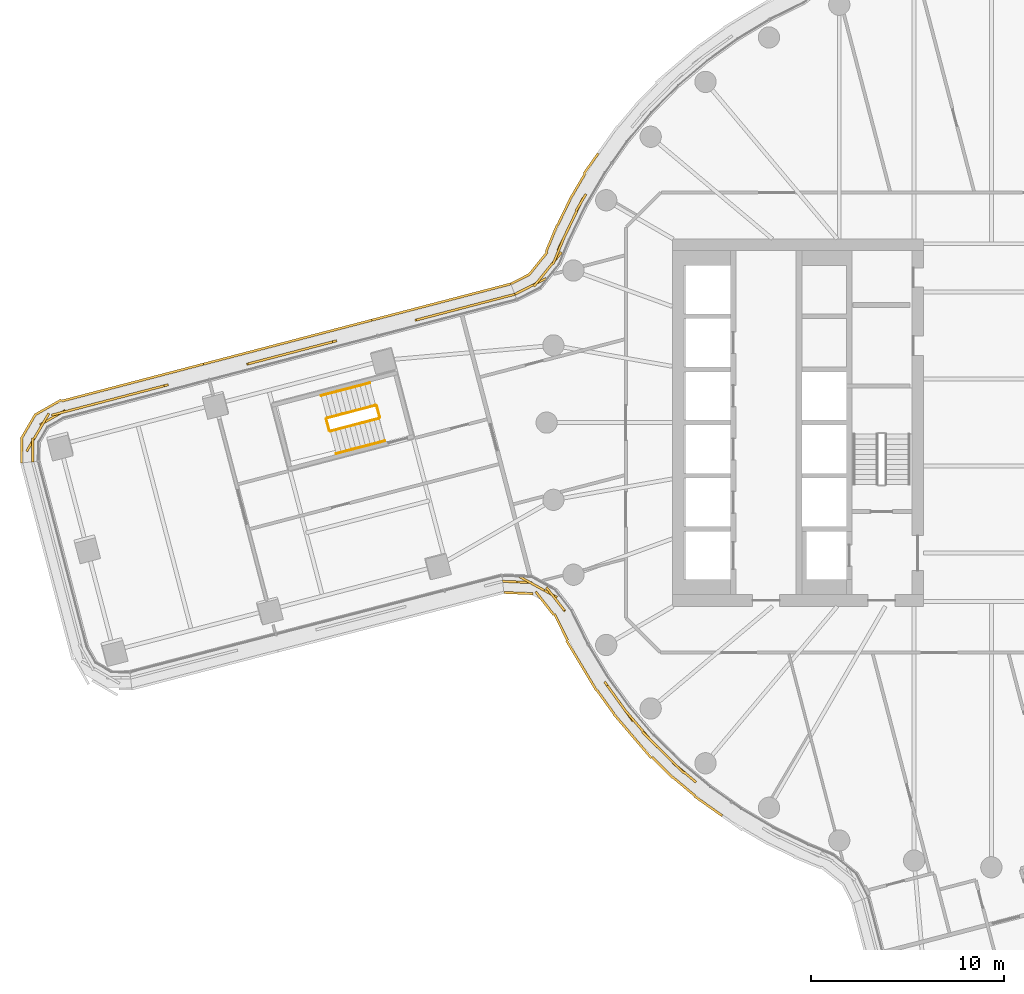
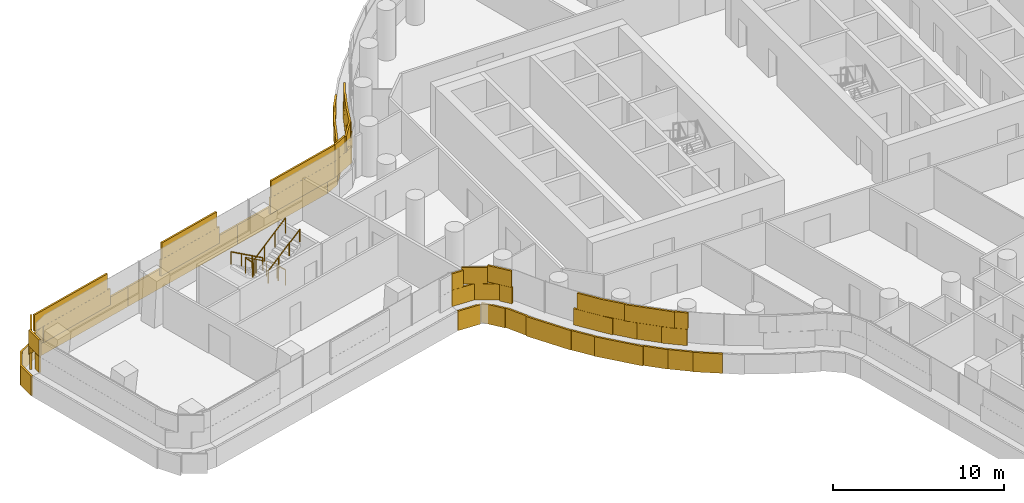
# One storey, part 26 of 30: 6 railings, 5 coverings.
"""IFC4 building model written with IfcOpenShell, lengths in metres."""

from ifc_helpers import new_model, si_unit, direction, frame, origin, origin_2d, place, context, subcontext, project, spatial, rectangle, circle, extrude, material, layer, layer_set, type_object, element, save


model = new_model("IFC4")

# Units and contexts
model_context = context("Model", 3, precision=1e-05, world=origin(), true_north=direction((0.0, 1.0)))
body_context = subcontext(model_context, "Body", "Model", "MODEL_VIEW")
ifc_project = project(units=[si_unit("LENGTHUNIT", "METRE"), si_unit("AREAUNIT", "SQUARE_METRE"), si_unit("VOLUMEUNIT", "CUBIC_METRE"), si_unit("PLANEANGLEUNIT", "RADIAN"), si_unit("MASSUNIT", "GRAM", prefix="KILO")], contexts=[model_context])

# Site, building, storey
site_placement = place(None, origin())
site = spatial("IfcSite", under=ifc_project, at=site_placement, CompositionType="ELEMENT")
building_placement = place(site_placement, origin())
building = spatial("IfcBuilding", under=site, at=building_placement, Name="Tamarind Cross Interchange Tower", CompositionType="ELEMENT")
storey_placement = place(building_placement, frame((0.0, 0.0, 87.25)))
storey = spatial("IfcBuildingStorey", under=building, at=storey_placement, Name="L20", CompositionType="ELEMENT", Elevation=87.25)

# Railings
ifc_material_1 = material(Name="Stair guard")
railing_type_1 = type_object("IfcRailingType", Name="Stair guard", PredefinedType="GUARDRAIL", material=ifc_material_1)
railing_1_placement = place(storey_placement, frame((-31.844482421875, 0.892822265625, 0.17041015625)))
element("IfcRailing", 1, at=railing_1_placement, inside=storey, type_object=railing_type_1, Name="L20 ST5 stair guard 1", PredefinedType="GUARDRAIL", context=body_context, shape_type="SweptSolid", body=[
    extrude(circle(Radius=0.02392578125, at=origin_2d()), frame((0.0, 0.0, 1.076171875), z_axis=(-0.80920762433, -0.211155681885, 0.54826663106), x_axis=(0.252486876071, -0.967600319043, 0.0)), (0.0, 0.0, 1.0), 3.109130859375),
    extrude(circle(Radius=0.02099609375, at=origin_2d()), origin(), (0.0, 0.0, 1.0), 1.052001953125),
    extrude(circle(Radius=0.02099609375, at=origin_2d()), frame((-0.838623046875, -0.21875, 0.568115234375)), (0.0, 0.0, 1.0), 1.052001953125),
    extrude(circle(Radius=0.02099609375, at=origin_2d()), frame((-1.67724609375, -0.437744140625, 1.136474609375)), (0.0, 0.0, 1.0), 1.052001953125),
    extrude(circle(Radius=0.02099609375, at=origin_2d()), frame((-2.515869140625, -0.656494140625, 1.70458984375)), (0.0, 0.0, 1.0), 1.052001953125),
])
railing_2_placement = place(storey_placement, frame((-34.39599609375, 0.17529296875, 1.875)))
element("IfcRailing", 2, at=railing_2_placement, inside=storey, type_object=railing_type_1, Name="L20 ST5 stair guard 2", PredefinedType="GUARDRAIL", context=body_context, shape_type="SweptSolid", body=[
    extrude(circle(Radius=0.02392578125, at=origin_2d()), frame((0.0, 0.0, 1.076171875), z_axis=(0.252289376238, -0.967651833377, 0.0), x_axis=(0.967651833377, 0.252289376238, 0.0)), (0.0, 0.0, 1.0), 0.599853515625),
    extrude(circle(Radius=0.02099609375, at=origin_2d()), origin(), (0.0, 0.0, 1.0), 1.052001953125),
    extrude(circle(Radius=0.02099609375, at=origin_2d()), frame((0.1513671875, -0.58056640625, 0.0)), (0.0, 0.0, 1.0), 1.052001953125),
])
railing_3_placement = place(storey_placement, frame((-34.18359375, -0.44091796875, 2.04541015625)))
element("IfcRailing", 3, at=railing_3_placement, inside=storey, type_object=railing_type_1, Name="L20 ST5 stair guard 3", PredefinedType="GUARDRAIL", context=body_context, shape_type="SweptSolid", body=[
    extrude(circle(Radius=0.02392578125, at=origin_2d()), frame((0.0, 0.0, 1.076171875), z_axis=(0.80920762433, 0.211155681885, 0.54826663106), x_axis=(-0.252486876071, 0.967600319043, 0.0)), (0.0, 0.0, 1.0), 3.109130859375),
    extrude(circle(Radius=0.02099609375, at=origin_2d()), origin(), (0.0, 0.0, 1.0), 1.052001953125),
    extrude(circle(Radius=0.02099609375, at=origin_2d()), frame((0.838623046875, 0.21875, 0.568115234375)), (0.0, 0.0, 1.0), 1.052001953125),
    extrude(circle(Radius=0.02099609375, at=origin_2d()), frame((1.67724609375, 0.437744140625, 1.136474609375)), (0.0, 0.0, 1.0), 1.052001953125),
    extrude(circle(Radius=0.02099609375, at=origin_2d()), frame((2.515869140625, 0.656494140625, 1.70458984375)), (0.0, 0.0, 1.0), 1.052001953125),
])
railing_4_placement = place(storey_placement, frame((-31.783447265625, 0.857177734375, 0.0)))
element("IfcRailing", 4, at=railing_4_placement, inside=storey, type_object=railing_type_1, Name="L20 ST5 stair guard 4", PredefinedType="GUARDRAIL", context=body_context, shape_type="SweptSolid", body=[
    extrude(circle(Radius=0.02392578125, at=origin_2d()), frame((0.0, 0.0, 1.076171875), z_axis=(0.252289376238, -0.967651833377, 0.0), x_axis=(0.967651833377, 0.252289376238, 0.0)), (0.0, 0.0, 1.0), 0.599853515625),
    extrude(circle(Radius=0.02099609375, at=origin_2d()), origin(), (0.0, 0.0, 1.0), 1.052001953125),
    extrude(circle(Radius=0.02099609375, at=origin_2d()), frame((0.1513671875, -0.58056640625, 0.0)), (0.0, 0.0, 1.0), 1.052001953125),
])
ifc_material_2 = material(Name="Stair handrail")
railing_type_2 = type_object("IfcRailingType", Name="Stair handrail", PredefinedType="HANDRAIL", material=ifc_material_2)
railing_5_placement = place(storey_placement, frame((-32.147705078125, 2.053955078125, 0.17041015625)))
element("IfcRailing", 5, at=railing_5_placement, inside=storey, type_object=railing_type_2, Name="L20 ST5 stair handrail 1", PredefinedType="HANDRAIL", context=body_context, shape_type="SweptSolid", body=[
    extrude(circle(Radius=0.02392578125, at=origin_2d()), frame((0.0, 0.0, 0.8759765625), z_axis=(-0.809180515998, -0.211169100109, 0.548301471535), x_axis=(0.252509817524, -0.96759433238, 0.0)), (0.0, 0.0, 1.0), 3.10888671875),
    extrude(circle(Radius=0.02099609375, at=origin_2d()), origin(), (0.0, 0.0, 1.0), 0.851806640625),
    extrude(circle(Radius=0.02099609375, at=origin_2d()), frame((-0.838623046875, -0.21875, 0.568115234375)), (0.0, 0.0, 1.0), 0.851806640625),
    extrude(circle(Radius=0.02099609375, at=origin_2d()), frame((-1.677001953125, -0.437744140625, 1.136474609375)), (0.0, 0.0, 1.0), 0.851806640625),
    extrude(circle(Radius=0.02099609375, at=origin_2d()), frame((-2.515625, -0.656494140625, 1.70458984375)), (0.0, 0.0, 1.0), 0.851806640625),
])
railing_6_placement = place(storey_placement, frame((-33.88037109375, -1.60205078125, 2.04541015625)))
element("IfcRailing", 6, at=railing_6_placement, inside=storey, type_object=railing_type_2, Name="L20 ST5 stair handrail 2", PredefinedType="HANDRAIL", context=body_context, shape_type="SweptSolid", body=[
    extrude(circle(Radius=0.02392578125, at=origin_2d()), frame((0.0, 0.0, 0.8759765625), z_axis=(0.809180515998, 0.211169100109, 0.548301471535), x_axis=(-0.252509817524, 0.96759433238, 0.0)), (0.0, 0.0, 1.0), 3.10888671875),
    extrude(circle(Radius=0.02099609375, at=origin_2d()), origin(), (0.0, 0.0, 1.0), 0.851806640625),
    extrude(circle(Radius=0.02099609375, at=origin_2d()), frame((0.838623046875, 0.21875, 0.568115234375)), (0.0, 0.0, 1.0), 0.851806640625),
    extrude(circle(Radius=0.02099609375, at=origin_2d()), frame((1.677001953125, 0.437744140625, 1.136474609375)), (0.0, 0.0, 1.0), 0.851806640625),
    extrude(circle(Radius=0.02099609375, at=origin_2d()), frame((2.515625, 0.656494140625, 1.70458984375)), (0.0, 0.0, 1.0), 0.851806640625),
])

# Coverings
ifc_material_3 = material(Name="Terracotta", Category="masonry")
ifc_layer = layer(ifc_material_3, 0.1201171875)
ifc_layer_set = layer_set([ifc_layer], Name="Terracotta")
covering_type = type_object("IfcCoveringType", Name="Terracotta baguette screen unit", PredefinedType="MOLDING", material=ifc_layer_set)
covering_1_placement = place(storey_placement, origin())
element("IfcCovering", 7, at=covering_1_placement, inside=storey, type_object=covering_type, Name="SCR-L20-02-01", PredefinedType="MOLDING", context=body_context, shape_type="SweptSolid", body=[
    extrude(rectangle(XDim=1.52001953125, YDim=0.1201171875, at=origin_2d()), frame((-21.444580078125, 10.933349609375, 1.404052734375), z_axis=(0.0, 0.0, 1.0), x_axis=(-0.435326231914, -0.900272776334, 0.0)), (0.0, 0.0, 1.0), 1.1669921875),
    extrude(rectangle(XDim=1.52001953125, YDim=0.1201171875, at=origin_2d()), frame((-22.097412109375, 9.5830078125, 1.404052734375), z_axis=(0.0, 0.0, 1.0), x_axis=(-0.435326231914, -0.900272776334, 0.0)), (0.0, 0.0, 1.0), 1.1669921875),
    extrude(rectangle(XDim=1.52001953125, YDim=0.1201171875, at=origin_2d()), frame((-22.710205078125, 8.22021484375, 1.404052734375), z_axis=(0.0, 0.0, 1.0), x_axis=(-0.628636689106, -0.777699114767, 0.0)), (0.0, 0.0, 1.0), 1.1669921875),
    extrude(rectangle(XDim=1.52001953125, YDim=0.1201171875, at=origin_2d()), frame((-23.703369140625, 7.115966796875, 1.404052734375), z_axis=(0.0, 0.0, 1.0), x_axis=(-0.891745921286, -0.45253642049, 0.0)), (0.0, 0.0, 1.0), 1.1669921875),
    extrude(rectangle(XDim=0.31982421875, YDim=0.1201171875, at=origin_2d()), frame((-24.510498046875, 6.706298828125, 1.404052734375), z_axis=(0.0, 0.0, 1.0), x_axis=(-0.891745921286, -0.45253642049, 0.0)), (0.0, 0.0, 1.0), 1.1669921875),
    extrude(rectangle(XDim=1.0126953125, YDim=0.1201171875, at=origin_2d()), frame((-21.225341796875, 11.38427734375, 2.5791015625), z_axis=(0.0, 0.0, 1.0), x_axis=(-0.508183308752, -0.861248933065, 0.0)), (0.0, 0.0, 1.0), 1.1669921875),
    extrude(rectangle(XDim=1.52001953125, YDim=0.1201171875, at=origin_2d()), frame((-21.77099609375, 10.25830078125, 2.5791015625), z_axis=(0.0, 0.0, 1.0), x_axis=(-0.435326231914, -0.900272776334, 0.0)), (0.0, 0.0, 1.0), 1.1669921875),
    extrude(rectangle(XDim=1.52001953125, YDim=0.1201171875, at=origin_2d()), frame((-22.384521484375, 8.89013671875, 2.5791015625), z_axis=(0.0, 0.0, 1.0), x_axis=(-0.382467192657, -0.923969072286, 0.0)), (0.0, 0.0, 1.0), 1.1669921875),
    extrude(rectangle(XDim=1.52001953125, YDim=0.1201171875, at=origin_2d()), frame((-23.181640625, 7.636962890625, 2.5791015625), z_axis=(0.0, 0.0, 1.0), x_axis=(-0.628636689106, -0.777699114767, 0.0)), (0.0, 0.0, 1.0), 1.1669921875),
    extrude(rectangle(XDim=1.06982421875, YDim=0.1201171875, at=origin_2d()), frame((-24.176025390625, 6.8759765625, 2.5791015625), z_axis=(0.0, 0.0, 1.0), x_axis=(-0.891745921286, -0.45253642049, 0.0)), (0.0, 0.0, 1.0), 1.1669921875),
    extrude(rectangle(XDim=1.276611328125, YDim=0.1201171875, at=origin_2d()), frame((-20.702392578125, 13.399658203125, 0.00390625), z_axis=(0.0, 0.0, 1.0), x_axis=(-0.577568978284, -0.816341886298, 0.0)), (0.0, 0.0, 1.0), 1.39208984375),
    extrude(rectangle(XDim=1.52001953125, YDim=0.1201171875, at=origin_2d()), frame((-21.40283203125, 12.212646484375, 0.00390625), z_axis=(0.0, 0.0, 1.0), x_axis=(-0.508183308752, -0.861248933065, 0.0)), (0.0, 0.0, 1.0), 1.39208984375),
    extrude(rectangle(XDim=1.52001953125, YDim=0.1201171875, at=origin_2d()), frame((-22.10400390625, 10.887939453125, 0.00390625), z_axis=(0.0, 0.0, 1.0), x_axis=(-0.435326231914, -0.900272776334, 0.0)), (0.0, 0.0, 1.0), 1.39208984375),
    extrude(rectangle(XDim=1.52001953125, YDim=0.1201171875, at=origin_2d()), frame((-22.74072265625, 9.5302734375, 0.00390625), z_axis=(0.0, 0.0, 1.0), x_axis=(-0.382467192657, -0.923969072286, 0.0)), (0.0, 0.0, 1.0), 1.39208984375),
    extrude(rectangle(XDim=1.52001953125, YDim=0.1201171875, at=origin_2d()), frame((-23.4462890625, 8.22265625, 0.00390625), z_axis=(0.0, 0.0, 1.0), x_axis=(-0.628636689106, -0.777699114767, 0.0)), (0.0, 0.0, 1.0), 1.39208984375),
    extrude(rectangle(XDim=1.052001953125, YDim=0.1201171875, at=origin_2d()), frame((-24.38427734375, 7.4140625, 0.00390625), z_axis=(0.0, 0.0, 1.0), x_axis=(-0.891745921286, -0.45253642049, 0.0)), (0.0, 0.0, 1.0), 1.39208984375),
])
covering_2_placement = place(storey_placement, origin())
element("IfcCovering", 8, at=covering_2_placement, inside=storey, type_object=covering_type, Name="SCR-L20-03-00", PredefinedType="MOLDING", context=body_context, shape_type="SweptSolid", body=[
    extrude(rectangle(XDim=1.510009765625, YDim=0.1201171875, at=origin_2d()), frame((-25.374267578125, 6.44677734375, 1.404052734375), z_axis=(0.0, 0.0, 1.0), x_axis=(-0.967589396666, -0.252528729967, 0.0)), (0.0, 0.0, 1.0), 1.1669921875),
    extrude(rectangle(XDim=1.52001953125, YDim=0.1201171875, at=origin_2d()), frame((-26.82568359375, 6.068115234375, 1.404052734375), z_axis=(0.0, 0.0, 1.0), x_axis=(-0.967589396666, -0.252528729967, 0.0)), (0.0, 0.0, 1.0), 1.1669921875),
    extrude(rectangle(XDim=1.52001953125, YDim=0.1201171875, at=origin_2d()), frame((-28.277099609375, 5.689208984375, 1.404052734375), z_axis=(0.0, 0.0, 1.0), x_axis=(-0.967589396666, -0.252528729967, 0.0)), (0.0, 0.0, 1.0), 1.1669921875),
    extrude(rectangle(XDim=0.833251953125, YDim=0.1201171875, at=origin_2d()), frame((-29.401123046875, 5.395751953125, 1.404052734375), z_axis=(0.0, 0.0, 1.0), x_axis=(-0.967589396666, -0.252528729967, 0.0)), (0.0, 0.0, 1.0), 1.1669921875),
    extrude(rectangle(XDim=0.760009765625, YDim=0.1201171875, at=origin_2d()), frame((-25.011474609375, 6.54150390625, 2.5791015625), z_axis=(0.0, 0.0, 1.0), x_axis=(-0.967589396666, -0.252528729967, 0.0)), (0.0, 0.0, 1.0), 1.1669921875),
    extrude(rectangle(XDim=1.52001953125, YDim=0.1201171875, at=origin_2d()), frame((-26.10009765625, 6.25732421875, 2.5791015625), z_axis=(0.0, 0.0, 1.0), x_axis=(-0.967589396666, -0.252528729967, 0.0)), (0.0, 0.0, 1.0), 1.1669921875),
    extrude(rectangle(XDim=1.52001953125, YDim=0.1201171875, at=origin_2d()), frame((-27.551513671875, 5.878662109375, 2.5791015625), z_axis=(0.0, 0.0, 1.0), x_axis=(-0.967589396666, -0.252528729967, 0.0)), (0.0, 0.0, 1.0), 1.1669921875),
    extrude(rectangle(XDim=1.52001953125, YDim=0.1201171875, at=origin_2d()), frame((-29.0029296875, 5.499755859375, 2.5791015625), z_axis=(0.0, 0.0, 1.0), x_axis=(-0.967589396666, -0.252528729967, 0.0)), (0.0, 0.0, 1.0), 1.1669921875),
    extrude(rectangle(XDim=1.510009765625, YDim=0.1201171875, at=origin_2d()), frame((-25.583984375, 6.9853515625, 0.00390625), z_axis=(0.0, 0.0, 1.0), x_axis=(-0.967589396666, -0.252528729967, 0.0)), (0.0, 0.0, 1.0), 1.39208984375),
    extrude(rectangle(XDim=1.52001953125, YDim=0.1201171875, at=origin_2d()), frame((-27.030517578125, 6.60791015625, 0.00390625), z_axis=(0.0, 0.0, 1.0), x_axis=(-0.967589396666, -0.252528729967, 0.0)), (0.0, 0.0, 1.0), 1.39208984375),
    extrude(rectangle(XDim=1.52001953125, YDim=0.1201171875, at=origin_2d()), frame((-28.48193359375, 6.22900390625, 0.00390625), z_axis=(0.0, 0.0, 1.0), x_axis=(-0.967589396666, -0.252528729967, 0.0)), (0.0, 0.0, 1.0), 1.39208984375),
    extrude(rectangle(XDim=1.52001953125, YDim=0.1201171875, at=origin_2d()), frame((-29.933349609375, 5.850341796875, 0.00390625), z_axis=(0.0, 0.0, 1.0), x_axis=(-0.967589396666, -0.252528729967, 0.0)), (0.0, 0.0, 1.0), 1.39208984375),
    extrude(rectangle(XDim=1.4375, YDim=0.1201171875, at=origin_2d()), frame((-31.3447265625, 5.48193359375, 0.00390625), z_axis=(0.0, 0.0, 1.0), x_axis=(-0.967589396666, -0.252528729967, 0.0)), (0.0, 0.0, 1.0), 1.39208984375),
])
covering_3_placement = place(storey_placement, origin())
element("IfcCovering", 9, at=covering_3_placement, inside=storey, type_object=covering_type, Name="SCR-L20-03-01", PredefinedType="MOLDING", context=body_context, shape_type="SweptSolid", body=[
    extrude(rectangle(XDim=0.986572265625, YDim=0.1201171875, at=origin_2d()), frame((-34.3359375, 4.10791015625, 1.404052734375), z_axis=(0.0, 0.0, 1.0), x_axis=(-0.967589396666, -0.252528729967, 0.0)), (0.0, 0.0, 1.0), 1.1669921875),
    extrude(rectangle(XDim=1.52001953125, YDim=0.1201171875, at=origin_2d()), frame((-35.5341796875, 3.795166015625, 1.404052734375), z_axis=(0.0, 0.0, 1.0), x_axis=(-0.967589396666, -0.252528729967, 0.0)), (0.0, 0.0, 1.0), 1.1669921875),
    extrude(rectangle(XDim=1.52001953125, YDim=0.1201171875, at=origin_2d()), frame((-36.9853515625, 3.41650390625, 1.404052734375), z_axis=(0.0, 0.0, 1.0), x_axis=(-0.967589396666, -0.252528729967, 0.0)), (0.0, 0.0, 1.0), 1.1669921875),
    extrude(rectangle(XDim=0.834228515625, YDim=0.1201171875, at=origin_2d()), frame((-38.10986328125, 3.123046875, 1.404052734375), z_axis=(0.0, 0.0, 1.0), x_axis=(-0.967589396666, -0.252528729967, 0.0)), (0.0, 0.0, 1.0), 1.1669921875),
    extrude(rectangle(XDim=1.52001953125, YDim=0.1201171875, at=origin_2d()), frame((-34.808349609375, 3.984619140625, 2.5791015625), z_axis=(0.0, 0.0, 1.0), x_axis=(-0.967589396666, -0.252528729967, 0.0)), (0.0, 0.0, 1.0), 1.1669921875),
    extrude(rectangle(XDim=1.52001953125, YDim=0.1201171875, at=origin_2d()), frame((-36.259765625, 3.60595703125, 2.5791015625), z_axis=(0.0, 0.0, 1.0), x_axis=(-0.967589396666, -0.252528729967, 0.0)), (0.0, 0.0, 1.0), 1.1669921875),
    extrude(rectangle(XDim=1.52001953125, YDim=0.1201171875, at=origin_2d()), frame((-37.711181640625, 3.22705078125, 2.5791015625), z_axis=(0.0, 0.0, 1.0), x_axis=(-0.967589396666, -0.252528729967, 0.0)), (0.0, 0.0, 1.0), 1.1669921875),
    extrude(rectangle(XDim=0.08251953125, YDim=0.1201171875, at=origin_2d()), frame((-32.080078125, 5.2900390625, 0.00390625), z_axis=(0.0, 0.0, 1.0), x_axis=(-0.967589396666, -0.252528729967, 0.0)), (0.0, 0.0, 1.0), 1.39208984375),
    extrude(rectangle(XDim=1.52001953125, YDim=0.1201171875, at=origin_2d()), frame((-32.8359375, 5.0927734375, 0.00390625), z_axis=(0.0, 0.0, 1.0), x_axis=(-0.967589396666, -0.252528729967, 0.0)), (0.0, 0.0, 1.0), 1.39208984375),
    extrude(rectangle(XDim=1.52001953125, YDim=0.1201171875, at=origin_2d()), frame((-34.287353515625, 4.7138671875, 0.00390625), z_axis=(0.0, 0.0, 1.0), x_axis=(-0.967589396666, -0.252528729967, 0.0)), (0.0, 0.0, 1.0), 1.39208984375),
    extrude(rectangle(XDim=1.52001953125, YDim=0.1201171875, at=origin_2d()), frame((-35.73876953125, 4.3349609375, 0.00390625), z_axis=(0.0, 0.0, 1.0), x_axis=(-0.967589396666, -0.252528729967, 0.0)), (0.0, 0.0, 1.0), 1.39208984375),
    extrude(rectangle(XDim=1.52001953125, YDim=0.1201171875, at=origin_2d()), frame((-37.190185546875, 3.956298828125, 0.00390625), z_axis=(0.0, 0.0, 1.0), x_axis=(-0.967589396666, -0.252528729967, 0.0)), (0.0, 0.0, 1.0), 1.39208984375),
    extrude(rectangle(XDim=1.52001953125, YDim=0.1201171875, at=origin_2d()), frame((-38.6416015625, 3.577392578125, 0.00390625), z_axis=(0.0, 0.0, 1.0), x_axis=(-0.967589396666, -0.252528729967, 0.0)), (0.0, 0.0, 1.0), 1.39208984375),
    extrude(rectangle(XDim=1.443603515625, YDim=0.1201171875, at=origin_2d()), frame((-40.055908203125, 3.208251953125, 0.00390625), z_axis=(0.0, 0.0, 1.0), x_axis=(-0.967589396666, -0.252528729967, 0.0)), (0.0, 0.0, 1.0), 1.39208984375),
])
covering_4_placement = place(storey_placement, origin())
element("IfcCovering", 10, at=covering_4_placement, inside=storey, type_object=covering_type, Name="SCR-L20-03-02", PredefinedType="MOLDING", context=body_context, shape_type="SweptSolid", body=[
    extrude(rectangle(XDim=0.98583984375, YDim=0.1201171875, at=origin_2d()), frame((-43.044677734375, 1.835205078125, 1.404052734375), z_axis=(0.0, 0.0, 1.0), x_axis=(-0.967589396666, -0.252528729967, 0.0)), (0.0, 0.0, 1.0), 1.1669921875),
    extrude(rectangle(XDim=1.52001953125, YDim=0.1201171875, at=origin_2d()), frame((-44.242431640625, 1.5224609375, 1.404052734375), z_axis=(0.0, 0.0, 1.0), x_axis=(-0.967589396666, -0.252528729967, 0.0)), (0.0, 0.0, 1.0), 1.1669921875),
    extrude(rectangle(XDim=1.52001953125, YDim=0.1201171875, at=origin_2d()), frame((-45.69384765625, 1.143798828125, 1.404052734375), z_axis=(0.0, 0.0, 1.0), x_axis=(-0.967589396666, -0.252528729967, 0.0)), (0.0, 0.0, 1.0), 1.1669921875),
    extrude(rectangle(XDim=1.52001953125, YDim=0.1201171875, at=origin_2d()), frame((-47.145263671875, 0.764892578125, 1.404052734375), z_axis=(0.0, 0.0, 1.0), x_axis=(-0.967589396666, -0.252528729967, 0.0)), (0.0, 0.0, 1.0), 1.1669921875),
    extrude(rectangle(XDim=1.52001953125, YDim=0.1201171875, at=origin_2d()), frame((-48.5458984375, 0.26171875, 1.404052734375), z_axis=(0.0, 0.0, 1.0), x_axis=(-0.869260342733, -0.494354585852, 0.0)), (0.0, 0.0, 1.0), 1.1669921875),
    extrude(rectangle(XDim=1.52001953125, YDim=0.1201171875, at=origin_2d()), frame((-49.5068359375, -0.8271484375, 1.404052734375), z_axis=(0.0, 0.0, 1.0), x_axis=(-0.505624246383, -0.862753801191, 0.0)), (0.0, 0.0, 1.0), 1.1669921875),
    extrude(rectangle(XDim=0.4716796875, YDim=0.1201171875, at=origin_2d()), frame((-49.58349609375, -1.788818359375, 1.404052734375), z_axis=(0.0, 0.0, 1.0), x_axis=(-0.006506541541, -0.999978832235, 0.0)), (0.0, 0.0, 1.0), 1.1669921875),
    extrude(rectangle(XDim=1.52001953125, YDim=0.1201171875, at=origin_2d()), frame((-43.5166015625, 1.7119140625, 2.5791015625), z_axis=(0.0, 0.0, 1.0), x_axis=(-0.967589396666, -0.252528729967, 0.0)), (0.0, 0.0, 1.0), 1.1669921875),
    extrude(rectangle(XDim=1.52001953125, YDim=0.1201171875, at=origin_2d()), frame((-44.968017578125, 1.3330078125, 2.5791015625), z_axis=(0.0, 0.0, 1.0), x_axis=(-0.967589396666, -0.252528729967, 0.0)), (0.0, 0.0, 1.0), 1.1669921875),
    extrude(rectangle(XDim=1.52001953125, YDim=0.1201171875, at=origin_2d()), frame((-46.41943359375, 0.954345703125, 2.5791015625), z_axis=(0.0, 0.0, 1.0), x_axis=(-0.967589396666, -0.252528729967, 0.0)), (0.0, 0.0, 1.0), 1.1669921875),
    extrude(rectangle(XDim=1.52001953125, YDim=0.1201171875, at=origin_2d()), frame((-47.870849609375, 0.575439453125, 2.5791015625), z_axis=(0.0, 0.0, 1.0), x_axis=(-0.967589396666, -0.252528729967, 0.0)), (0.0, 0.0, 1.0), 1.1669921875),
    extrude(rectangle(XDim=1.52001953125, YDim=0.1201171875, at=origin_2d()), frame((-49.127685546875, -0.18017578125, 2.5791015625), z_axis=(0.0, 0.0, 1.0), x_axis=(-0.505624246383, -0.862753801191, 0.0)), (0.0, 0.0, 1.0), 1.1669921875),
    extrude(rectangle(XDim=1.2216796875, YDim=0.1201171875, at=origin_2d()), frame((-49.5810546875, -1.413818359375, 2.5791015625), z_axis=(0.0, 0.0, 1.0), x_axis=(-0.006506541541, -0.999978832235, 0.0)), (0.0, 0.0, 1.0), 1.1669921875),
    extrude(rectangle(XDim=0.076416015625, YDim=0.1201171875, at=origin_2d()), frame((-40.791259765625, 3.016357421875, 0.00390625), z_axis=(0.0, 0.0, 1.0), x_axis=(-0.967589396666, -0.252528729967, 0.0)), (0.0, 0.0, 1.0), 1.39208984375),
    extrude(rectangle(XDim=1.52001953125, YDim=0.1201171875, at=origin_2d()), frame((-41.544189453125, 2.81982421875, 0.00390625), z_axis=(0.0, 0.0, 1.0), x_axis=(-0.967589396666, -0.252528729967, 0.0)), (0.0, 0.0, 1.0), 1.39208984375),
    extrude(rectangle(XDim=1.52001953125, YDim=0.1201171875, at=origin_2d()), frame((-42.99560546875, 2.441162109375, 0.00390625), z_axis=(0.0, 0.0, 1.0), x_axis=(-0.967589396666, -0.252528729967, 0.0)), (0.0, 0.0, 1.0), 1.39208984375),
    extrude(rectangle(XDim=1.52001953125, YDim=0.1201171875, at=origin_2d()), frame((-44.447021484375, 2.062255859375, 0.00390625), z_axis=(0.0, 0.0, 1.0), x_axis=(-0.967589396666, -0.252528729967, 0.0)), (0.0, 0.0, 1.0), 1.39208984375),
    extrude(rectangle(XDim=1.52001953125, YDim=0.1201171875, at=origin_2d()), frame((-45.8984375, 1.68359375, 0.00390625), z_axis=(0.0, 0.0, 1.0), x_axis=(-0.967589396666, -0.252528729967, 0.0)), (0.0, 0.0, 1.0), 1.39208984375),
    extrude(rectangle(XDim=1.52001953125, YDim=0.1201171875, at=origin_2d()), frame((-47.349853515625, 1.3046875, 0.00390625), z_axis=(0.0, 0.0, 1.0), x_axis=(-0.967589396666, -0.252528729967, 0.0)), (0.0, 0.0, 1.0), 1.39208984375),
    extrude(rectangle(XDim=1.52001953125, YDim=0.1201171875, at=origin_2d()), frame((-48.751953125, 0.804931640625, 0.00390625), z_axis=(0.0, 0.0, 1.0), x_axis=(-0.869260342733, -0.494354585852, 0.0)), (0.0, 0.0, 1.0), 1.39208984375),
    extrude(rectangle(XDim=1.52001953125, YDim=0.1201171875, at=origin_2d()), frame((-49.801513671875, -0.1943359375, 0.00390625), z_axis=(0.0, 0.0, 1.0), x_axis=(-0.505624246383, -0.862753801191, 0.0)), (0.0, 0.0, 1.0), 1.39208984375),
    extrude(rectangle(XDim=1.251953125, YDim=0.1201171875, at=origin_2d()), frame((-50.1552734375, -1.465576171875, 0.00390625), z_axis=(0.0, 0.0, 1.0), x_axis=(-0.006506541541, -0.999978832235, 0.0)), (0.0, 0.0, 1.0), 1.39208984375),
])
covering_5_placement = place(storey_placement, origin())
element("IfcCovering", 11, at=covering_5_placement, inside=storey, type_object=covering_type, Name="SCR-L20-06-00", PredefinedType="MOLDING", context=body_context, shape_type="SweptSolid", body=[
    extrude(rectangle(XDim=1.510009765625, YDim=0.1201171875, at=origin_2d()), frame((-24.52587890625, -8.2412109375, 1.404052734375), z_axis=(0.0, 0.0, 1.0), x_axis=(0.999076272174, -0.042972111644, 0.0)), (0.0, 0.0, 1.0), 1.1669921875),
    extrude(rectangle(XDim=1.52001953125, YDim=0.1201171875, at=origin_2d()), frame((-23.13037109375, -8.67236328125, 1.404052734375), z_axis=(0.0, 0.0, 1.0), x_axis=(0.874641212639, -0.484770821269, 0.0)), (0.0, 0.0, 1.0), 1.1669921875),
    extrude(rectangle(XDim=0.80810546875, YDim=0.1201171875, at=origin_2d()), frame((-22.3017578125, -9.435791015625, 1.404052734375), z_axis=(0.0, 0.0, 1.0), x_axis=(0.615002408743, -0.788525229299, 0.0)), (0.0, 0.0, 1.0), 1.1669921875),
    extrude(rectangle(XDim=1.011962890625, YDim=0.1201171875, at=origin_2d()), frame((-19.708984375, -13.81298828125, 1.404052734375), z_axis=(0.0, 0.0, 1.0), x_axis=(0.584573890505, -0.811340475102, 0.0)), (0.0, 0.0, 1.0), 1.1669921875),
    extrude(rectangle(XDim=1.52001953125, YDim=0.1201171875, at=origin_2d()), frame((-18.977783203125, -14.827880859375, 1.404052734375), z_axis=(0.0, 0.0, 1.0), x_axis=(0.584573890505, -0.811340475102, 0.0)), (0.0, 0.0, 1.0), 1.1669921875),
    extrude(rectangle(XDim=1.52001953125, YDim=0.1201171875, at=origin_2d()), frame((-18.00732421875, -15.971435546875, 1.404052734375), z_axis=(0.0, 0.0, 1.0), x_axis=(0.64957723968, -0.760295606781, 0.0)), (0.0, 0.0, 1.0), 1.1669921875),
    extrude(rectangle(XDim=1.52001953125, YDim=0.1201171875, at=origin_2d()), frame((-16.975341796875, -17.058349609375, 1.404052734375), z_axis=(0.0, 0.0, 1.0), x_axis=(0.710143317658, -0.704057148523, 0.0)), (0.0, 0.0, 1.0), 1.1669921875),
    extrude(rectangle(XDim=1.52001953125, YDim=0.1201171875, at=origin_2d()), frame((-15.884521484375, -18.08642578125, 1.404052734375), z_axis=(0.0, 0.0, 1.0), x_axis=(0.765858396687, -0.643009266048, 0.0)), (0.0, 0.0, 1.0), 1.1669921875),
    extrude(rectangle(XDim=0.760009765625, YDim=0.1201171875, at=origin_2d()), frame((-24.900390625, -8.22509765625, 2.5791015625), z_axis=(0.0, 0.0, 1.0), x_axis=(0.999076272174, -0.042972111644, 0.0)), (0.0, 0.0, 1.0), 1.1669921875),
    extrude(rectangle(XDim=1.52001953125, YDim=0.1201171875, at=origin_2d()), frame((-23.786376953125, -8.308837890625, 2.5791015625), z_axis=(0.0, 0.0, 1.0), x_axis=(0.874641212639, -0.484770821269, 0.0)), (0.0, 0.0, 1.0), 1.1669921875),
    extrude(rectangle(XDim=1.52001953125, YDim=0.1201171875, at=origin_2d()), frame((-22.547119140625, -9.12109375, 2.5791015625), z_axis=(0.0, 0.0, 1.0), x_axis=(0.615002408743, -0.788525229299, 0.0)), (0.0, 0.0, 1.0), 1.1669921875),
    extrude(rectangle(XDim=1.52001953125, YDim=0.1201171875, at=origin_2d()), frame((-19.416259765625, -14.219482421875, 2.5791015625), z_axis=(0.0, 0.0, 1.0), x_axis=(0.584573890505, -0.811340475102, 0.0)), (0.0, 0.0, 1.0), 1.1669921875),
    extrude(rectangle(XDim=1.52001953125, YDim=0.1201171875, at=origin_2d()), frame((-18.494384765625, -15.401123046875, 2.5791015625), z_axis=(0.0, 0.0, 1.0), x_axis=(0.64957723968, -0.760295606781, 0.0)), (0.0, 0.0, 1.0), 1.1669921875),
    extrude(rectangle(XDim=1.52001953125, YDim=0.1201171875, at=origin_2d()), frame((-17.5078125, -16.5302734375, 2.5791015625), z_axis=(0.0, 0.0, 1.0), x_axis=(0.710143317658, -0.704057148523, 0.0)), (0.0, 0.0, 1.0), 1.1669921875),
    extrude(rectangle(XDim=1.52001953125, YDim=0.1201171875, at=origin_2d()), frame((-16.442626953125, -17.58642578125, 2.5791015625), z_axis=(0.0, 0.0, 1.0), x_axis=(0.710143317658, -0.704057148523, 0.0)), (0.0, 0.0, 1.0), 1.1669921875),
    extrude(rectangle(XDim=0.807373046875, YDim=0.1201171875, at=origin_2d()), frame((-15.5791015625, -18.3427734375, 2.5791015625), z_axis=(0.0, 0.0, 1.0), x_axis=(0.765858396687, -0.643009266048, 0.0)), (0.0, 0.0, 1.0), 1.1669921875),
    extrude(rectangle(XDim=1.510009765625, YDim=0.1201171875, at=origin_2d()), frame((-24.459716796875, -8.818603515625, 0.00390625), z_axis=(0.0, 0.0, 1.0), x_axis=(0.999076272174, -0.042972111644, 0.0)), (0.0, 0.0, 1.0), 1.39208984375),
    extrude(rectangle(XDim=1.52001953125, YDim=0.1201171875, at=origin_2d()), frame((-23.09765625, -9.348388671875, 0.00390625), z_axis=(0.0, 0.0, 1.0), x_axis=(0.615002408743, -0.788525229299, 0.0)), (0.0, 0.0, 1.0), 1.39208984375),
    extrude(rectangle(XDim=1.52001953125, YDim=0.1201171875, at=origin_2d()), frame((-22.255126953125, -10.581298828125, 0.00390625), z_axis=(0.0, 0.0, 1.0), x_axis=(0.44323068256, -0.896407587003, 0.0)), (0.0, 0.0, 1.0), 1.39208984375),
    extrude(rectangle(XDim=1.52001953125, YDim=0.1201171875, at=origin_2d()), frame((-21.58251953125, -11.921630859375, 0.00390625), z_axis=(0.0, 0.0, 1.0), x_axis=(0.515577308909, -0.856843065292, 0.0)), (0.0, 0.0, 1.0), 1.39208984375),
    extrude(rectangle(XDim=1.52001953125, YDim=0.1201171875, at=origin_2d()), frame((-20.809326171875, -13.20703125, 0.00390625), z_axis=(0.0, 0.0, 1.0), x_axis=(0.515577308909, -0.856843065292, 0.0)), (0.0, 0.0, 1.0), 1.39208984375),
    extrude(rectangle(XDim=1.52001953125, YDim=0.1201171875, at=origin_2d()), frame((-19.962158203125, -14.443603515625, 0.00390625), z_axis=(0.0, 0.0, 1.0), x_axis=(0.584573890505, -0.811340475102, 0.0)), (0.0, 0.0, 1.0), 1.39208984375),
    extrude(rectangle(XDim=1.52001953125, YDim=0.1201171875, at=origin_2d()), frame((-19.05078125, -15.633544921875, 0.00390625), z_axis=(0.0, 0.0, 1.0), x_axis=(0.64957723968, -0.760295606781, 0.0)), (0.0, 0.0, 1.0), 1.39208984375),
    extrude(rectangle(XDim=1.52001953125, YDim=0.1201171875, at=origin_2d()), frame((-18.076416015625, -16.77392578125, 0.00390625), z_axis=(0.0, 0.0, 1.0), x_axis=(0.64957723968, -0.760295606781, 0.0)), (0.0, 0.0, 1.0), 1.39208984375),
    extrude(rectangle(XDim=1.52001953125, YDim=0.1201171875, at=origin_2d()), frame((-17.01171875, -17.83056640625, 0.00390625), z_axis=(0.0, 0.0, 1.0), x_axis=(0.710143317658, -0.704057148523, 0.0)), (0.0, 0.0, 1.0), 1.39208984375),
    extrude(rectangle(XDim=1.52001953125, YDim=0.1201171875, at=origin_2d()), frame((-15.893310546875, -18.828369140625, 0.00390625), z_axis=(0.0, 0.0, 1.0), x_axis=(0.765858396687, -0.643009266048, 0.0)), (0.0, 0.0, 1.0), 1.39208984375),
    extrude(rectangle(XDim=1.52001953125, YDim=0.1201171875, at=origin_2d()), frame((-14.7236328125, -19.765625, 0.00390625), z_axis=(0.0, 0.0, 1.0), x_axis=(0.816341886298, -0.577568978284, 0.0)), (0.0, 0.0, 1.0), 1.39208984375),
    extrude(rectangle(XDim=0.243408203125, YDim=0.1201171875, at=origin_2d()), frame((-14.02001953125, -20.263427734375, 0.00390625), z_axis=(0.0, 0.0, 1.0), x_axis=(0.816341886298, -0.577568978284, 0.0)), (0.0, 0.0, 1.0), 1.39208984375),
])

save(model, "model.ifc")
